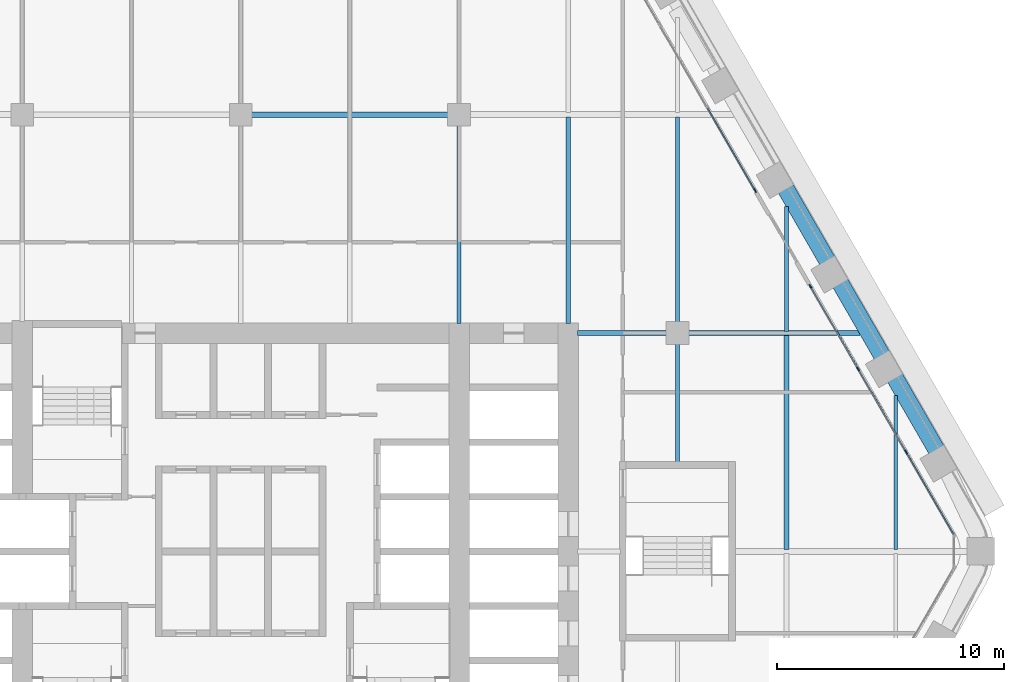
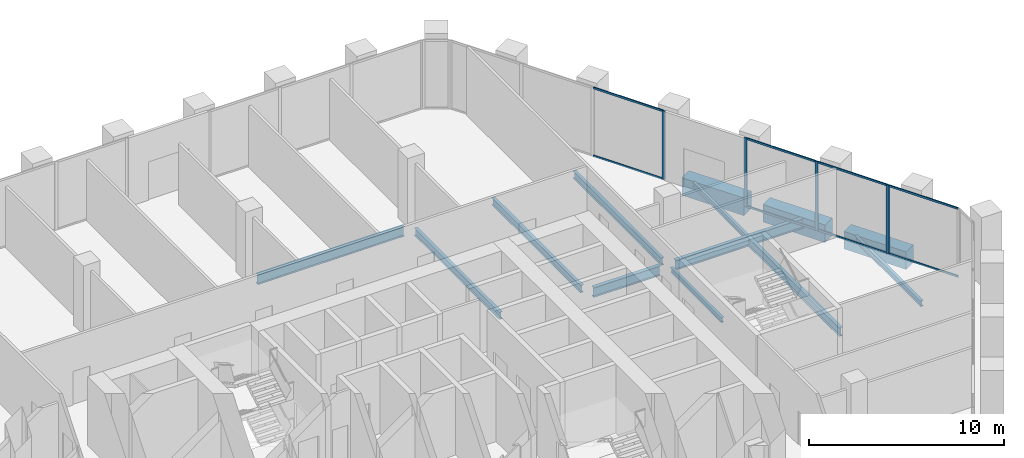
# One storey, part 8 of 22: 13 beams, 12 members, 2 elements without a shape of their own.
"""IFC4 building model written with IfcOpenShell, lengths in metres."""

from ifc_helpers import new_model, si_unit, direction, frame, origin, origin_2d, place, context, subcontext, project, spatial, rectangle, i_section, extrude, material, material_profile, profile_set, type_object, element, aggregate, save


model = new_model("IFC4")

# Units and contexts
model_context = context("Model", 3, precision=1e-05, world=origin(), true_north=direction((0.0, 1.0)))
body_context = subcontext(model_context, "Body", "Model", "MODEL_VIEW")
ifc_project = project(units=[si_unit("LENGTHUNIT", "METRE"), si_unit("AREAUNIT", "SQUARE_METRE"), si_unit("VOLUMEUNIT", "CUBIC_METRE"), si_unit("PLANEANGLEUNIT", "RADIAN"), si_unit("MASSUNIT", "GRAM", prefix="KILO")], contexts=[model_context])

# Site, building, storey
site_placement = place(None, origin())
site = spatial("IfcSite", under=ifc_project, at=site_placement, CompositionType="ELEMENT")
building_placement = place(site_placement, origin())
building = spatial("IfcBuilding", under=site, at=building_placement, Name="Kolab Exchange Tower", CompositionType="ELEMENT")
storey_placement = place(building_placement, frame((0.0, 0.0, 113.89990234375)))
storey = spatial("IfcBuildingStorey", under=building, at=storey_placement, Name="L22", CompositionType="ELEMENT", Elevation=113.89990234375)

# Beams
ifc_material_1 = material(Name="Steel S355", Category="steel")
ifc_material_profile_1 = material_profile(ifc_material_1, i_section(OverallWidth=0.1650390625, OverallDepth=0.31005859375, WebThickness=0.005859375, FlangeThickness=0.009765625, at=origin_2d()), Name="W310X39")
ifc_profile_set_1 = profile_set([ifc_material_profile_1], Name="Steel S355")
beam_type_1 = type_object("IfcBeamType", Name="FLOOR BEAM W310X39", PredefinedType="BEAM", material=ifc_profile_set_1)
beam_1_placement = place(storey_placement, frame((19.199951171875, 3.909912109375, -0.35498046875), z_axis=(0.0, 1.0, 0.0), x_axis=(-1.0, 0.0, 0.0)))
element("IfcBeam", 1, at=beam_1_placement, inside=storey, type_object=beam_type_1, Name="beam/L22/fr/043", PredefinedType="BEAM", context=body_context, shape_type="SweptSolid", body=[
    extrude(i_section(OverallWidth=0.1650390625, OverallDepth=0.31005859375, WebThickness=0.005859375, FlangeThickness=0.009765625, at=origin_2d()), origin(), (0.0, 0.0, 1.0), 5.22998046875),
])
beam_2_placement = place(storey_placement, frame((24.0, 9.674072265625, -0.35498046875), z_axis=(0.0, 1.0, 0.0), x_axis=(-1.0, 0.0, 0.0)))
element("IfcBeam", 2, at=beam_2_placement, inside=storey, type_object=beam_type_1, Name="beam/L22/fr/049", PredefinedType="BEAM", context=body_context, shape_type="SweptSolid", body=[
    extrude(i_section(OverallWidth=0.1650390625, OverallDepth=0.31005859375, WebThickness=0.005859375, FlangeThickness=0.009765625, at=origin_2d()), origin(), (0.0, 0.0, 1.0), 5.49365234375),
])
ifc_material_profile_2 = material_profile(ifc_material_1, i_section(OverallWidth=0.1708984375, OverallDepth=0.35498046875, WebThickness=0.007080078125, FlangeThickness=0.01171875, at=origin_2d()), Name="W360X51")
ifc_profile_set_2 = profile_set([ifc_material_profile_2], Name="Steel S355")
beam_type_2 = type_object("IfcBeamType", Name="FLOOR BEAM W360X51", PredefinedType="BEAM", material=ifc_profile_set_2)
beam_3_placement = place(storey_placement, frame((28.800048828125, 0.0869140625, -0.37744140625), z_axis=(0.0, 1.0, 0.0), x_axis=(-1.0, 0.0, 0.0)))
element("IfcBeam", 3, at=beam_3_placement, inside=storey, type_object=beam_type_2, Name="beam/L22/fr/051", PredefinedType="BEAM", context=body_context, shape_type="SweptSolid", body=[
    extrude(i_section(OverallWidth=0.1708984375, OverallDepth=0.35498046875, WebThickness=0.007080078125, FlangeThickness=0.01171875, at=origin_2d()), origin(), (0.0, 0.0, 1.0), 6.766845703125),
])
ifc_material_profile_3 = material_profile(ifc_material_1, i_section(OverallWidth=0.18994140625, OverallDepth=0.45703125, WebThickness=0.009033203125, FlangeThickness=0.014404296875, at=origin_2d()), Name="W460X74")
ifc_profile_set_3 = profile_set([ifc_material_profile_3], Name="Steel S355")
beam_type_3 = type_object("IfcBeamType", Name="FLOOR BEAM W460X74", PredefinedType="BEAM", material=ifc_profile_set_3)
beam_4_placement = place(storey_placement, frame((9.60009765625, 10.010009765625, -0.428466796875), z_axis=(0.0, 1.0, 0.0), x_axis=(-1.0, 0.0, 0.0)))
element("IfcBeam", 4, at=beam_4_placement, inside=storey, type_object=beam_type_3, Name="beam/L22/fr/034", PredefinedType="BEAM", context=body_context, shape_type="SweptSolid", body=[
    extrude(i_section(OverallWidth=0.18994140625, OverallDepth=0.45703125, WebThickness=0.009033203125, FlangeThickness=0.014404296875, at=origin_2d()), origin(), (0.0, 0.0, 1.0), 8.72998046875),
])
beam_5_placement = place(storey_placement, frame((14.39990234375, 10.010009765625, -0.428466796875), z_axis=(0.0, 1.0, 0.0), x_axis=(-1.0, 0.0, 0.0)))
element("IfcBeam", 5, at=beam_5_placement, inside=storey, type_object=beam_type_3, Name="beam/L22/fr/038", PredefinedType="BEAM", context=body_context, shape_type="SweptSolid", body=[
    extrude(i_section(OverallWidth=0.18994140625, OverallDepth=0.45703125, WebThickness=0.009033203125, FlangeThickness=0.014404296875, at=origin_2d()), origin(), (0.0, 0.0, 1.0), 9.096435546875),
])
beam_6_placement = place(storey_placement, frame((19.199951171875, 10.06005859375, -0.428466796875), z_axis=(0.0, 1.0, 0.0), x_axis=(-1.0, 0.0, 0.0)))
element("IfcBeam", 6, at=beam_6_placement, inside=storey, type_object=beam_type_3, Name="beam/L22/fr/044", PredefinedType="BEAM", context=body_context, shape_type="SweptSolid", body=[
    extrude(i_section(OverallWidth=0.18994140625, OverallDepth=0.45703125, WebThickness=0.009033203125, FlangeThickness=0.014404296875, at=origin_2d()), origin(), (0.0, 0.0, 1.0), 9.04638671875),
])
ifc_material_profile_4 = material_profile(ifc_material_1, i_section(OverallWidth=0.208984375, OverallDepth=0.532958984375, WebThickness=0.01025390625, FlangeThickness=0.015625, at=origin_2d()), Name="W530X92")
ifc_profile_set_4 = profile_set([ifc_material_profile_4], Name="Steel S355")
beam_type_4 = type_object("IfcBeamType", Name="FLOOR BEAM W530X92", PredefinedType="BEAM", material=ifc_profile_set_4)
beam_7_placement = place(storey_placement, frame((24.0, 0.0869140625, -0.46630859375), z_axis=(0.0, 1.0, 0.0), x_axis=(-1.0, 0.0, 0.0)))
element("IfcBeam", 7, at=beam_7_placement, inside=storey, type_object=beam_type_4, Name="beam/L22/fr/048", PredefinedType="BEAM", context=body_context, shape_type="SweptSolid", body=[
    extrude(i_section(OverallWidth=0.208984375, OverallDepth=0.532958984375, WebThickness=0.01025390625, FlangeThickness=0.015625, at=origin_2d()), origin(), (0.0, 0.0, 1.0), 9.43896484375),
])
ifc_material_profile_5 = material_profile(ifc_material_1, i_section(OverallWidth=0.22802734375, OverallDepth=0.60791015625, WebThickness=0.01123046875, FlangeThickness=0.017333984375, at=origin_2d()), Name="W610X113")
ifc_profile_set_5 = profile_set([ifc_material_profile_5], Name="Steel S355")
beam_type_5 = type_object("IfcBeamType", Name="FLOOR GIRDER W610X113", PredefinedType="BEAM", material=ifc_profile_set_5)
beam_8_placement = place(storey_placement, frame((0.4599609375, 19.199951171875, -0.50390625), z_axis=(1.0, 0.0, 0.0), x_axis=(0.0, 1.0, 0.0)))
element("IfcBeam", 8, at=beam_8_placement, inside=storey, type_object=beam_type_5, Name="beam/L22/gd/011", PredefinedType="BEAM", context=body_context, shape_type="SweptSolid", body=[
    extrude(i_section(OverallWidth=0.22802734375, OverallDepth=0.60791015625, WebThickness=0.01123046875, FlangeThickness=0.017333984375, at=origin_2d()), origin(), (0.0, 0.0, 1.0), 8.679931640625),
])
beam_9_placement = place(storey_placement, frame((14.81005859375, 9.60009765625, -0.50390625), z_axis=(1.0, 0.0, 0.0), x_axis=(0.0, 1.0, 0.0)))
element("IfcBeam", 9, at=beam_9_placement, inside=storey, type_object=beam_type_5, Name="beam/L22/gd/016", PredefinedType="BEAM", context=body_context, shape_type="SweptSolid", body=[
    extrude(i_section(OverallWidth=0.22802734375, OverallDepth=0.60791015625, WebThickness=0.01123046875, FlangeThickness=0.017333984375, at=origin_2d()), origin(), (0.0, 0.0, 1.0), 3.929931640625),
])
beam_10_placement = place(storey_placement, frame((19.659912109375, 9.60009765625, -0.50390625), z_axis=(1.0, 0.0, 0.0), x_axis=(0.0, 1.0, 0.0)))
element("IfcBeam", 10, at=beam_10_placement, inside=storey, type_object=beam_type_5, Name="beam/L22/gd/018", PredefinedType="BEAM", context=body_context, shape_type="SweptSolid", body=[
    extrude(i_section(OverallWidth=0.22802734375, OverallDepth=0.60791015625, WebThickness=0.01123046875, FlangeThickness=0.017333984375, at=origin_2d()), origin(), (0.0, 0.0, 1.0), 7.571533203125),
])
ifc_material_2 = material(Name="Concrete C70/85", Category="concrete")
ifc_material_profile_6 = material_profile(ifc_material_2, rectangle(XDim=0.75, YDim=1.10009765625, at=origin_2d()), Name="RC750X1100")
ifc_profile_set_6 = profile_set([ifc_material_profile_6], Name="Concrete C70/85")
beam_type_6 = type_object("IfcBeamType", Name="SPANDREL BEAM 750X1100 C70/85", PredefinedType="BEAM", material=ifc_profile_set_6)
beam_11_placement = place(storey_placement, frame((23.955322265625, 15.955322265625, -0.75), z_axis=(0.499963655964, -0.866046386007, 0.0), x_axis=(0.866046386007, 0.499963655964, 0.0)))
element("IfcBeam", 11, at=beam_11_placement, inside=storey, type_object=beam_type_6, Name="beam/L22/sp/F2-04", PredefinedType="BEAM", context=body_context, shape_type="SweptSolid", body=[
    extrude(rectangle(XDim=0.75, YDim=1.10009765625, at=origin_2d()), origin(), (0.0, 0.0, 1.0), 3.679931640625),
])
for number, where, z_axis, x_axis, name in (
    (12, (26.355224609375, 11.79833984375, -0.75), (0.500013413428, -0.866017659399, 0.0), (0.866017659399, 0.500013413428, 0.0), "beam/L22/sp/F2-05"),
    (13, (28.755126953125, 7.641357421875, -0.75), (0.500013413428, -0.866017659399, 0.0), (0.866017659399, 0.500013413428, 0.0), "beam/L22/sp/F2-06"),
):
    element("IfcBeam", number, at=place(storey_placement, frame(where, z_axis=z_axis, x_axis=x_axis)), inside=storey, type_object=beam_type_6, Name=name, PredefinedType="BEAM", context=body_context, shape_type="SweptSolid", body=[
        extrude(rectangle(XDim=0.75, YDim=1.10009765625, at=origin_2d()), origin(), (0.0, 0.0, 1.0), 3.68017578125),
    ])

# Curtain wall, member
ifc_material_3 = material(Name="Aluminium EN AW-6063 T6", Category="aluminium")
curtain_wall_type = type_object("IfcCurtainWallType", Name="UNITISED LOWER MID ZONE CURTAIN WALL", PredefinedType="NOTDEFINED", material=ifc_material_3)
curtain_wall_1_placement = place(storey_placement, origin())
curtain_wall_1 = element("IfcCurtainWall", 14, at=curtain_wall_1_placement, inside=storey, type_object=curtain_wall_type, Name="cw/L22/F2-1", PredefinedType="NOTDEFINED")
ifc_material_profile_7 = material_profile(ifc_material_3, rectangle(XDim=0.06005859375, YDim=0.179931640625, at=origin_2d()), Name="RECT 60X180")
ifc_profile_set_7 = profile_set([ifc_material_profile_7], Name="Aluminium EN AW-6063 T6")
member_type_1 = type_object("IfcMemberType", Name="UNITISED LOWER MID ZONE MULLION 60 X 180", PredefinedType="MULLION", material=ifc_profile_set_7)
member_1_placement = place(storey_placement, frame((22.61669921875, 15.86376953125, 0.0), z_axis=(0.0, 0.0, 1.0), x_axis=(0.866025393644, 0.500000017564, 0.0)))
member_1 = element("IfcMember", 15, at=member_1_placement, type_object=member_type_1, Name="CW2 mullion 4", PredefinedType="MULLION", context=body_context, shape_type="SweptSolid", body=[
    extrude(rectangle(XDim=0.06005859375, YDim=0.179931640625, at=origin_2d()), origin(), (0.0, 0.0, 1.0), 4.300048828125),
])

# Curtain wall, members
curtain_wall_2_placement = place(storey_placement, origin())
curtain_wall_2 = element("IfcCurtainWall", 16, at=curtain_wall_2_placement, inside=storey, type_object=curtain_wall_type, Name="cw/L22/F2-2", PredefinedType="NOTDEFINED")
member_2_placement = place(storey_placement, frame((25.046630859375, 11.65478515625, 0.0), z_axis=(0.0, 0.0, 1.0), x_axis=(0.866025427826, 0.499999958358, 0.0)))
member_2 = element("IfcMember", 17, at=member_2_placement, type_object=member_type_1, Name="CW2 mullion 1", PredefinedType="MULLION", context=body_context, shape_type="SweptSolid", body=[
    extrude(rectangle(XDim=0.06005859375, YDim=0.179931640625, at=origin_2d()), origin(), (0.0, 0.0, 1.0), 4.300048828125),
])
member_3_placement = place(storey_placement, frame((27.14306640625, 8.02392578125, 0.0), z_axis=(0.0, 0.0, 1.0), x_axis=(0.866025427826, 0.499999958358, 0.0)))
member_3 = element("IfcMember", 18, at=member_3_placement, type_object=member_type_1, Name="CW2 mullion 2", PredefinedType="MULLION", context=body_context, shape_type="SweptSolid", body=[
    extrude(rectangle(XDim=0.06005859375, YDim=0.179931640625, at=origin_2d()), origin(), (0.0, 0.0, 1.0), 4.300048828125),
])
member_4_placement = place(storey_placement, frame((29.25439453125, 4.366943359375, 0.0), z_axis=(0.0, 0.0, 1.0), x_axis=(0.866025427826, 0.499999958358, 0.0)))
member_4 = element("IfcMember", 19, at=member_4_placement, type_object=member_type_1, Name="CW2 mullion 3", PredefinedType="MULLION", context=body_context, shape_type="SweptSolid", body=[
    extrude(rectangle(XDim=0.06005859375, YDim=0.179931640625, at=origin_2d()), origin(), (0.0, 0.0, 1.0), 4.300048828125),
])

# Member
ifc_material_profile_8 = material_profile(ifc_material_3, rectangle(XDim=0.06005859375, YDim=0.1201171875, at=origin_2d()), Name="RECT 60X120")
ifc_profile_set_8 = profile_set([ifc_material_profile_8], Name="Aluminium EN AW-6063 T6")
member_type_2 = type_object("IfcMemberType", Name="UNITISED LOWER MID ZONE TRANSOM 60 X 120", PredefinedType="USERDEFINED", material=ifc_profile_set_8)
member_5_placement = place(storey_placement, frame((20.535400390625, 19.46875, 0.030029296875), z_axis=(0.499957688808, -0.866049830784, 0.0), x_axis=(0.866049830784, 0.499957688808, 0.0)))
member_5 = element("IfcMember", 20, at=member_5_placement, type_object=member_type_2, Name="CW2 transom 3.1", ObjectType="TRANSOM", PredefinedType="USERDEFINED", context=body_context, shape_type="SweptSolid", body=[
    extrude(rectangle(XDim=0.06005859375, YDim=0.1201171875, at=origin_2d()), origin(), (0.0, 0.0, 1.0), 4.132568359375),
])

member_6_placement = place(storey_placement, frame((20.535400390625, 19.46875, 4.27001953125), z_axis=(0.499957688808, -0.866049830784, 0.0), x_axis=(0.866049830784, 0.499957688808, 0.0)))
member_6 = element("IfcMember", 21, at=member_6_placement, type_object=member_type_2, Name="CW2 transom 3.2", ObjectType="TRANSOM", PredefinedType="USERDEFINED", context=body_context, shape_type="SweptSolid", body=[
    extrude(rectangle(XDim=0.06005859375, YDim=0.1201171875, at=origin_2d()), origin(), (0.0, 0.0, 1.0), 4.132568359375),
])

aggregate(curtain_wall_1, [member_1, member_5, member_6])

member_7_placement = place(storey_placement, frame((25.061767578125, 11.62890625, 0.030029296875), z_axis=(0.499957688808, -0.866049830784, 0.0), x_axis=(0.866049830784, 0.499957688808, 0.0)))
member_7 = element("IfcMember", 22, at=member_7_placement, type_object=member_type_2, Name="CW2 transom 1.1", ObjectType="TRANSOM", PredefinedType="USERDEFINED", context=body_context, shape_type="SweptSolid", body=[
    extrude(rectangle(XDim=0.06005859375, YDim=0.1201171875, at=origin_2d()), origin(), (0.0, 0.0, 1.0), 4.132568359375),
])

member_8_placement = place(storey_placement, frame((25.061767578125, 11.62890625, 4.27001953125), z_axis=(0.499957688808, -0.866049830784, 0.0), x_axis=(0.866049830784, 0.499957688808, 0.0)))
member_8 = element("IfcMember", 23, at=member_8_placement, type_object=member_type_2, Name="CW2 transom 1.2", ObjectType="TRANSOM", PredefinedType="USERDEFINED", context=body_context, shape_type="SweptSolid", body=[
    extrude(rectangle(XDim=0.06005859375, YDim=0.1201171875, at=origin_2d()), origin(), (0.0, 0.0, 1.0), 4.132568359375),
])

member_9_placement = place(storey_placement, frame((27.157958984375, 7.997802734375, 0.030029296875), z_axis=(0.49999322259, -0.866029316688, 0.0), x_axis=(0.866029316688, 0.49999322259, 0.0)))
member_9 = element("IfcMember", 24, at=member_9_placement, type_object=member_type_2, Name="CW2 transom 2.1", ObjectType="TRANSOM", PredefinedType="USERDEFINED", context=body_context, shape_type="SweptSolid", body=[
    extrude(rectangle(XDim=0.06005859375, YDim=0.1201171875, at=origin_2d()), origin(), (0.0, 0.0, 1.0), 4.16259765625),
])

member_10_placement = place(storey_placement, frame((27.157958984375, 7.997802734375, 4.27001953125), z_axis=(0.49999322259, -0.866029316688, 0.0), x_axis=(0.866029316688, 0.49999322259, 0.0)))
member_10 = element("IfcMember", 25, at=member_10_placement, type_object=member_type_2, Name="CW2 transom 2.2", ObjectType="TRANSOM", PredefinedType="USERDEFINED", context=body_context, shape_type="SweptSolid", body=[
    extrude(rectangle(XDim=0.06005859375, YDim=0.1201171875, at=origin_2d()), origin(), (0.0, 0.0, 1.0), 4.16259765625),
])

member_11_placement = place(storey_placement, frame((29.269287109375, 4.3408203125, 0.030029296875), z_axis=(0.500027577057, -0.866009481578, 0.0), x_axis=(0.866009481578, 0.500027577057, 0.0)))
member_11 = element("IfcMember", 26, at=member_11_placement, type_object=member_type_2, Name="CW2 transom 3.1", ObjectType="TRANSOM", PredefinedType="USERDEFINED", context=body_context, shape_type="SweptSolid", body=[
    extrude(rectangle(XDim=0.06005859375, YDim=0.1201171875, at=origin_2d()), origin(), (0.0, 0.0, 1.0), 4.132568359375),
])

member_12_placement = place(storey_placement, frame((29.269287109375, 4.3408203125, 4.27001953125), z_axis=(0.500027577057, -0.866009481578, 0.0), x_axis=(0.866009481578, 0.500027577057, 0.0)))
member_12 = element("IfcMember", 27, at=member_12_placement, type_object=member_type_2, Name="CW2 transom 3.2", ObjectType="TRANSOM", PredefinedType="USERDEFINED", context=body_context, shape_type="SweptSolid", body=[
    extrude(rectangle(XDim=0.06005859375, YDim=0.1201171875, at=origin_2d()), origin(), (0.0, 0.0, 1.0), 4.132568359375),
])

aggregate(curtain_wall_2, [member_2, member_3, member_4, member_7, member_8, member_9, member_10, member_11, member_12])

save(model, "model.ifc")
